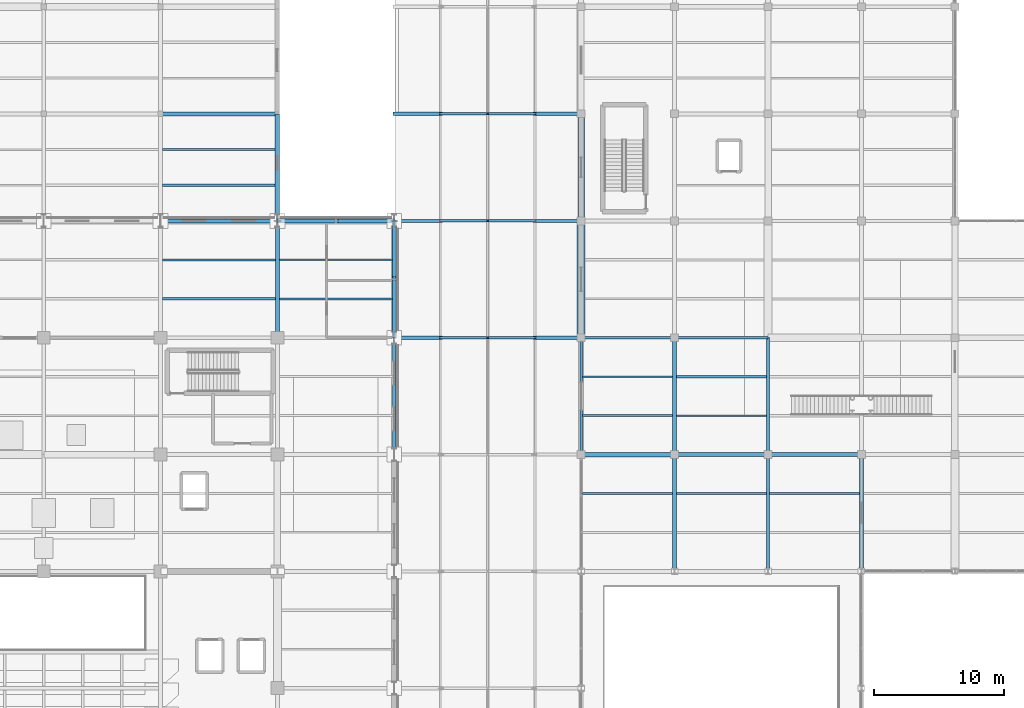
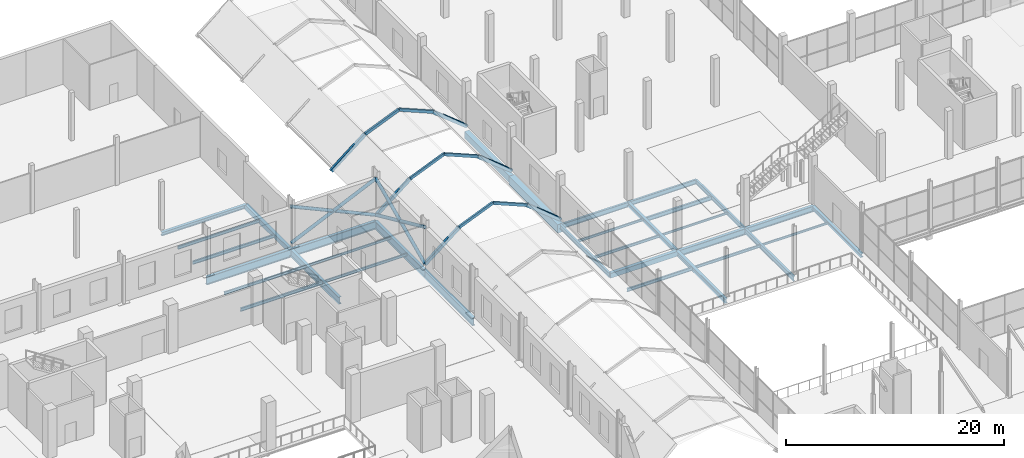
# One storey, part 48 of 141: 33 beams, 18 members.
"""IFC4 building model written with IfcOpenShell, lengths in metres."""

from ifc_helpers import new_model, si_unit, direction, frame, origin, origin_2d, place, context, subcontext, project, spatial, rectangle, hollow_rectangle, hollow_circle, i_section, extrude, material, material_profile, profile_set, type_object, element, save


model = new_model("IFC4")

# Units and contexts
model_context = context("Model", 3, precision=1e-05, world=origin(), true_north=direction((0.0, 1.0)))
body_context = subcontext(model_context, "Body", "Model", "MODEL_VIEW")
ifc_project = project(units=[si_unit("LENGTHUNIT", "METRE"), si_unit("AREAUNIT", "SQUARE_METRE"), si_unit("VOLUMEUNIT", "CUBIC_METRE"), si_unit("PLANEANGLEUNIT", "RADIAN"), si_unit("MASSUNIT", "GRAM", prefix="KILO")], contexts=[model_context])

# Site, building, storey
site_placement = place(None, origin())
site = spatial("IfcSite", under=ifc_project, at=site_placement, CompositionType="ELEMENT")
building_placement = place(site_placement, origin())
building = spatial("IfcBuilding", under=site, at=building_placement, Name="Sundgate Opera House", CompositionType="ELEMENT")
storey_placement = place(building_placement, frame((0.0, 0.0, 11.39990234375)))
storey = spatial("IfcBuildingStorey", under=building, at=storey_placement, Name="L02", CompositionType="ELEMENT", Elevation=11.39990234375)

# Beams
ifc_material_1 = material(Name="Steel S355J2", Category="steel")
ifc_material_profile_1 = material_profile(ifc_material_1, i_section(OverallWidth=0.300048828125, OverallDepth=0.39990234375, WebThickness=0.013427734375, FlangeThickness=0.02392578125, at=origin_2d()), Name="HEB 400")
ifc_profile_set_1 = profile_set([ifc_material_profile_1], Name="Steel S355J2")
beam_type_1 = type_object("IfcBeamType", Name="BM-GR-HEB400", PredefinedType="BEAM", material=ifc_profile_set_1)
for number, where, z_axis, x_axis, name in (
    (1, (117.0, 60.0, -0.5498046875), (0.0, 1.0, 0.0), (-1.0, 0.0, 0.0), "L02 Primary N-S Girder B1885"),
    (2, (63.0, 95.25, -0.5498046875), (1.0, 0.0, 0.0), (0.0, 1.0, 0.0), "L02 Primary E-W Girder B2075"),
):
    element("IfcBeam", number, at=place(storey_placement, frame(where, z_axis=z_axis, x_axis=x_axis)), inside=storey, type_object=beam_type_1, Name=name, PredefinedType="BEAM", context=body_context, shape_type="SweptSolid", body=[
        extrude(i_section(OverallWidth=0.300048828125, OverallDepth=0.39990234375, WebThickness=0.013427734375, FlangeThickness=0.02392578125, at=origin_2d()), origin(), (0.0, 0.0, 1.0), 9.0),
    ])
ifc_material_2 = material(Name="Steel S355J2", Category="steel")
ifc_material_profile_2 = material_profile(ifc_material_2, i_section(OverallWidth=0.300048828125, OverallDepth=0.449951171875, WebThickness=0.013916015625, FlangeThickness=0.02587890625, at=origin_2d()), Name="HEB 450")
ifc_profile_set_2 = profile_set([ifc_material_profile_2], Name="Steel S355J2")
beam_type_2 = type_object("IfcBeamType", Name="BM-GR-HEB450", PredefinedType="BEAM", material=ifc_profile_set_2)
beam_1_placement = place(storey_placement, frame((102.60009765625, 69.0, -0.574951171875), z_axis=(0.0, 1.0, 0.0), x_axis=(-1.0, 0.0, 0.0)))
element("IfcBeam", 3, at=beam_1_placement, inside=storey, type_object=beam_type_2, Name="L02 Primary N-S Girder B1862", PredefinedType="BEAM", context=body_context, shape_type="SweptSolid", body=[
    extrude(i_section(OverallWidth=0.300048828125, OverallDepth=0.449951171875, WebThickness=0.013916015625, FlangeThickness=0.02587890625, at=origin_2d()), origin(), (0.0, 0.0, 1.0), 9.0),
])
ifc_material_3 = material(Name="Steel S355J2", Category="steel")
ifc_material_profile_3 = material_profile(ifc_material_3, i_section(OverallWidth=0.300048828125, OverallDepth=0.5, WebThickness=0.014404296875, FlangeThickness=0.028076171875, at=origin_2d()), Name="HEB 500")
ifc_profile_set_3 = profile_set([ifc_material_profile_3], Name="Steel S355J2")
beam_type_3 = type_object("IfcBeamType", Name="BM-GR-HEB500", PredefinedType="BEAM", material=ifc_profile_set_3)
beam_2_placement = place(storey_placement, frame((102.60009765625, 60.0, -0.599853515625), z_axis=(0.0, 1.0, 0.0), x_axis=(-1.0, 0.0, 0.0)))
element("IfcBeam", 4, at=beam_2_placement, inside=storey, type_object=beam_type_3, Name="L02 Primary N-S Girder B1861", PredefinedType="BEAM", context=body_context, shape_type="SweptSolid", body=[
    extrude(i_section(OverallWidth=0.300048828125, OverallDepth=0.5, WebThickness=0.014404296875, FlangeThickness=0.028076171875, at=origin_2d()), origin(), (0.0, 0.0, 1.0), 9.0),
])
ifc_material_4 = material(Name="Steel S355J2", Category="steel")
ifc_material_profile_4 = material_profile(ifc_material_4, i_section(OverallWidth=0.300048828125, OverallDepth=0.64990234375, WebThickness=0.01611328125, FlangeThickness=0.031005859375, at=origin_2d()), Name="HEB 650")
ifc_profile_set_4 = profile_set([ifc_material_profile_4], Name="Steel S355J2")
beam_type_4 = type_object("IfcBeamType", Name="BM-GR-HEB650", PredefinedType="BEAM", material=ifc_profile_set_4)
beam_3_placement = place(storey_placement, frame((109.800048828125, 69.0, -0.6748046875), z_axis=(1.0, 0.0, 0.0), x_axis=(0.0, 1.0, 0.0)))
element("IfcBeam", 5, at=beam_3_placement, inside=storey, type_object=beam_type_4, Name="L02 Primary E-W Girder B2036", PredefinedType="BEAM", context=body_context, shape_type="SweptSolid", body=[
    extrude(i_section(OverallWidth=0.300048828125, OverallDepth=0.64990234375, WebThickness=0.01611328125, FlangeThickness=0.031005859375, at=origin_2d()), origin(), (0.0, 0.0, 1.0), 7.199951171875),
])
ifc_material_5 = material(Name="Steel S355J2", Category="steel")
ifc_material_profile_5 = material_profile(ifc_material_5, i_section(OverallWidth=0.300048828125, OverallDepth=0.699951171875, WebThickness=0.01708984375, FlangeThickness=0.031982421875, at=origin_2d()), Name="HEB 700")
ifc_profile_set_5 = profile_set([ifc_material_profile_5], Name="Steel S355J2")
beam_type_5 = type_object("IfcBeamType", Name="BM-GR-HEB700", PredefinedType="BEAM", material=ifc_profile_set_5)
beam_4_placement = place(storey_placement, frame((102.60009765625, 69.0, -0.699951171875), z_axis=(1.0, 0.0, 0.0), x_axis=(0.0, 1.0, 0.0)))
element("IfcBeam", 6, at=beam_4_placement, inside=storey, type_object=beam_type_5, Name="L02 Primary E-W Girder B2035", PredefinedType="BEAM", context=body_context, shape_type="SweptSolid", body=[
    extrude(i_section(OverallWidth=0.300048828125, OverallDepth=0.699951171875, WebThickness=0.01708984375, FlangeThickness=0.031982421875, at=origin_2d()), origin(), (0.0, 0.0, 1.0), 7.199951171875),
])
ifc_material_6 = material(Name="Steel S355J2", Category="steel")
ifc_material_profile_6 = material_profile(ifc_material_6, i_section(OverallWidth=0.199951171875, OverallDepth=0.5, WebThickness=0.01025390625, FlangeThickness=0.01611328125, at=origin_2d()), Name="IPE 500")
ifc_profile_set_6 = profile_set([ifc_material_profile_6], Name="Steel S355J2")
beam_type_6 = type_object("IfcBeamType", Name="BM-GR-IPE500", PredefinedType="BEAM", material=ifc_profile_set_6)
for number, where, z_axis, x_axis, name in (
    (7, (95.39990234375, 69.0, -0.599853515625), (0.0, 1.0, 0.0), (-1.0, 0.0, 0.0), "L02 Primary N-S Girder B1851"),
    (8, (109.800048828125, 69.0, -0.599853515625), (0.0, 1.0, 0.0), (-1.0, 0.0, 0.0), "L02 Primary N-S Girder B1873"),
):
    element("IfcBeam", number, at=place(storey_placement, frame(where, z_axis=z_axis, x_axis=x_axis)), inside=storey, type_object=beam_type_6, Name=name, PredefinedType="BEAM", context=body_context, shape_type="SweptSolid", body=[
        extrude(i_section(OverallWidth=0.199951171875, OverallDepth=0.5, WebThickness=0.01025390625, FlangeThickness=0.01611328125, at=origin_2d()), origin(), (0.0, 0.0, 1.0), 9.0),
    ])
beam_5_placement = place(storey_placement, frame((102.60009765625, 78.0, -0.599853515625), z_axis=(1.0, 0.0, 0.0), x_axis=(0.0, 1.0, 0.0)))
element("IfcBeam", 9, at=beam_5_placement, inside=storey, type_object=beam_type_6, Name="L02 Primary E-W Girder B2047", PredefinedType="BEAM", context=body_context, shape_type="SweptSolid", body=[
    extrude(i_section(OverallWidth=0.199951171875, OverallDepth=0.5, WebThickness=0.01025390625, FlangeThickness=0.01611328125, at=origin_2d()), origin(), (0.0, 0.0, 1.0), 7.199951171875),
])
ifc_material_7 = material(Name="Steel S355J2", Category="steel")
ifc_material_profile_7 = material_profile(ifc_material_7, i_section(OverallWidth=0.2099609375, OverallDepth=0.550048828125, WebThickness=0.010986328125, FlangeThickness=0.01708984375, at=origin_2d()), Name="IPE 550")
ifc_profile_set_7 = profile_set([ifc_material_profile_7], Name="Steel S355J2")
beam_type_7 = type_object("IfcBeamType", Name="BM-GR-IPE550", PredefinedType="BEAM", material=ifc_profile_set_7)
beam_6_placement = place(storey_placement, frame((109.800048828125, 60.0, -0.625), z_axis=(0.0, 1.0, 0.0), x_axis=(-1.0, 0.0, 0.0)))
element("IfcBeam", 10, at=beam_6_placement, inside=storey, type_object=beam_type_7, Name="L02 Primary N-S Girder B1872", PredefinedType="BEAM", context=body_context, shape_type="SweptSolid", body=[
    extrude(i_section(OverallWidth=0.2099609375, OverallDepth=0.550048828125, WebThickness=0.010986328125, FlangeThickness=0.01708984375, at=origin_2d()), origin(), (0.0, 0.0, 1.0), 9.0),
])
beam_7_placement = place(storey_placement, frame((95.39990234375, 78.0, -0.625), z_axis=(1.0, 0.0, 0.0), x_axis=(0.0, 1.0, 0.0)))
element("IfcBeam", 11, at=beam_7_placement, inside=storey, type_object=beam_type_7, Name="L02 Primary E-W Girder B2046", PredefinedType="BEAM", context=body_context, shape_type="SweptSolid", body=[
    extrude(i_section(OverallWidth=0.2099609375, OverallDepth=0.550048828125, WebThickness=0.010986328125, FlangeThickness=0.01708984375, at=origin_2d()), origin(), (0.0, 0.0, 1.0), 7.2001953125),
])
ifc_material_8 = material(Name="Steel S355J2", Category="steel")
ifc_material_profile_8 = material_profile(ifc_material_8, i_section(OverallWidth=0.1201171875, OverallDepth=0.239990234375, WebThickness=0.006103515625, FlangeThickness=0.009765625, at=origin_2d()), Name="IPE 240")
ifc_profile_set_8 = profile_set([ifc_material_profile_8], Name="Steel S355J2")
beam_type_8 = type_object("IfcBeamType", Name="BM-JS-IPE240", PredefinedType="JOIST", material=ifc_profile_set_8)
beam_8_placement = place(storey_placement, frame((109.905029296875, 66.0, -0.469970703125), z_axis=(1.0, 0.0, 0.0), x_axis=(0.0, 1.0, 0.0)))
element("IfcBeam", 12, at=beam_8_placement, inside=storey, type_object=beam_type_8, Name="L02 Secondary Floor Joist B2268", PredefinedType="JOIST", context=body_context, shape_type="SweptSolid", body=[
    extrude(i_section(OverallWidth=0.1201171875, OverallDepth=0.239990234375, WebThickness=0.006103515625, FlangeThickness=0.009765625, at=origin_2d()), origin(), (0.0, 0.0, 1.0), 6.945068359375),
])
beam_9_placement = place(storey_placement, frame((102.75, 72.0, -0.469970703125), z_axis=(1.0, 0.0, 0.0), x_axis=(0.0, 1.0, 0.0)))
element("IfcBeam", 13, at=beam_9_placement, inside=storey, type_object=beam_type_8, Name="L02 Secondary Floor Joist B2289", PredefinedType="JOIST", context=body_context, shape_type="SweptSolid", body=[
    extrude(i_section(OverallWidth=0.1201171875, OverallDepth=0.239990234375, WebThickness=0.006103515625, FlangeThickness=0.009765625, at=origin_2d()), origin(), (0.0, 0.0, 1.0), 6.949951171875),
])
ifc_material_9 = material(Name="Steel S355J2", Category="steel")
ifc_material_profile_9 = material_profile(ifc_material_9, i_section(OverallWidth=0.135009765625, OverallDepth=0.27001953125, WebThickness=0.006591796875, FlangeThickness=0.01025390625, at=origin_2d()), Name="IPE 270")
ifc_profile_set_9 = profile_set([ifc_material_profile_9], Name="Steel S355J2")
beam_type_9 = type_object("IfcBeamType", Name="BM-JS-IPE270", PredefinedType="JOIST", material=ifc_profile_set_9)
beam_10_placement = place(storey_placement, frame((95.5, 75.0, -0.48486328125), z_axis=(1.0, 0.0, 0.0), x_axis=(0.0, 1.0, 0.0)))
element("IfcBeam", 14, at=beam_10_placement, inside=storey, type_object=beam_type_9, Name="L02 Secondary Floor Joist B2288", PredefinedType="JOIST", context=body_context, shape_type="SweptSolid", body=[
    extrude(i_section(OverallWidth=0.135009765625, OverallDepth=0.27001953125, WebThickness=0.006591796875, FlangeThickness=0.01025390625, at=origin_2d()), origin(), (0.0, 0.0, 1.0), 6.949951171875),
])
beam_11_placement = place(storey_placement, frame((72.14990234375, 84.0, -0.454833984375), z_axis=(1.0, 0.0, 0.0), x_axis=(0.0, 1.0, 0.0)))
element("IfcBeam", 15, at=beam_11_placement, inside=storey, type_object=beam_type_9, Name="L02 Secondary Floor Joist B2316", PredefinedType="JOIST", context=body_context, shape_type="SweptSolid", body=[
    extrude(i_section(OverallWidth=0.135009765625, OverallDepth=0.27001953125, WebThickness=0.006591796875, FlangeThickness=0.01025390625, at=origin_2d()), origin(), (0.0, 0.0, 1.0), 8.7001953125),
])
ifc_material_10 = material(Name="Steel S355J2", Category="steel")
ifc_material_profile_10 = material_profile(ifc_material_10, i_section(OverallWidth=0.14990234375, OverallDepth=0.300048828125, WebThickness=0.007080078125, FlangeThickness=0.0107421875, at=origin_2d()), Name="IPE 300")
ifc_profile_set_10 = profile_set([ifc_material_profile_10], Name="Steel S355J2")
beam_type_10 = type_object("IfcBeamType", Name="BM-JS-IPE300", PredefinedType="JOIST", material=ifc_profile_set_10)
beam_12_placement = place(storey_placement, frame((102.75, 66.0, -0.5), z_axis=(1.0, 0.0, 0.0), x_axis=(0.0, 1.0, 0.0)))
element("IfcBeam", 16, at=beam_12_placement, inside=storey, type_object=beam_type_10, Name="L02 Secondary Floor Joist B2266", PredefinedType="JOIST", context=body_context, shape_type="SweptSolid", body=[
    extrude(i_section(OverallWidth=0.14990234375, OverallDepth=0.300048828125, WebThickness=0.007080078125, FlangeThickness=0.0107421875, at=origin_2d()), origin(), (0.0, 0.0, 1.0), 6.945068359375),
])
beam_13_placement = place(storey_placement, frame((95.5, 72.0, -0.5), z_axis=(1.0, 0.0, 0.0), x_axis=(0.0, 1.0, 0.0)))
element("IfcBeam", 17, at=beam_13_placement, inside=storey, type_object=beam_type_10, Name="L02 Secondary Floor Joist B2287", PredefinedType="JOIST", context=body_context, shape_type="SweptSolid", body=[
    extrude(i_section(OverallWidth=0.14990234375, OverallDepth=0.300048828125, WebThickness=0.007080078125, FlangeThickness=0.0107421875, at=origin_2d()), origin(), (0.0, 0.0, 1.0), 6.949951171875),
])
beam_14_placement = place(storey_placement, frame((72.14990234375, 81.0, -0.469970703125), z_axis=(1.0, 0.0, 0.0), x_axis=(0.0, 1.0, 0.0)))
element("IfcBeam", 18, at=beam_14_placement, inside=storey, type_object=beam_type_10, Name="L02 Secondary Floor Joist B2315", PredefinedType="JOIST", context=body_context, shape_type="SweptSolid", body=[
    extrude(i_section(OverallWidth=0.14990234375, OverallDepth=0.300048828125, WebThickness=0.007080078125, FlangeThickness=0.0107421875, at=origin_2d()), origin(), (0.0, 0.0, 1.0), 8.7001953125),
])
ifc_material_11 = material(Name="Steel S355J2", Category="steel")
ifc_material_profile_11 = material_profile(ifc_material_11, i_section(OverallWidth=0.159912109375, OverallDepth=0.330078125, WebThickness=0.007568359375, FlangeThickness=0.011474609375, at=origin_2d()), Name="IPE 330")
ifc_profile_set_11 = profile_set([ifc_material_profile_11], Name="Steel S355J2")
beam_type_11 = type_object("IfcBeamType", Name="BM-JS-IPE330", PredefinedType="JOIST", material=ifc_profile_set_11)
beam_15_placement = place(storey_placement, frame((63.14990234375, 84.0, -0.48486328125), z_axis=(1.0, 0.0, 0.0), x_axis=(0.0, 1.0, 0.0)))
element("IfcBeam", 19, at=beam_15_placement, inside=storey, type_object=beam_type_11, Name="L02 Secondary Floor Joist B2314", PredefinedType="JOIST", context=body_context, shape_type="SweptSolid", body=[
    extrude(i_section(OverallWidth=0.159912109375, OverallDepth=0.330078125, WebThickness=0.007568359375, FlangeThickness=0.011474609375, at=origin_2d()), origin(), (0.0, 0.0, 1.0), 8.7001953125),
])
beam_16_placement = place(storey_placement, frame((63.14990234375, 92.5, -0.514892578125), z_axis=(1.0, 0.0, 0.0), x_axis=(0.0, 1.0, 0.0)))
element("IfcBeam", 20, at=beam_16_placement, inside=storey, type_object=beam_type_11, Name="L02 Secondary Floor Joist B2349", PredefinedType="JOIST", context=body_context, shape_type="SweptSolid", body=[
    extrude(i_section(OverallWidth=0.159912109375, OverallDepth=0.330078125, WebThickness=0.007568359375, FlangeThickness=0.011474609375, at=origin_2d()), origin(), (0.0, 0.0, 1.0), 8.675048828125),
])
ifc_material_12 = material(Name="Steel S355J2", Category="steel")
ifc_material_profile_12 = material_profile(ifc_material_12, i_section(OverallWidth=0.169921875, OverallDepth=0.360107421875, WebThickness=0.008056640625, FlangeThickness=0.0126953125, at=origin_2d()), Name="IPE 360")
ifc_profile_set_12 = profile_set([ifc_material_profile_12], Name="Steel S355J2")
beam_type_12 = type_object("IfcBeamType", Name="BM-JS-IPE360", PredefinedType="JOIST", material=ifc_profile_set_12)
beam_17_placement = place(storey_placement, frame((95.5048828125, 66.0, -0.52978515625), z_axis=(1.0, 0.0, 0.0), x_axis=(0.0, 1.0, 0.0)))
element("IfcBeam", 21, at=beam_17_placement, inside=storey, type_object=beam_type_12, Name="L02 Secondary Floor Joist B2264", PredefinedType="JOIST", context=body_context, shape_type="SweptSolid", body=[
    extrude(i_section(OverallWidth=0.169921875, OverallDepth=0.360107421875, WebThickness=0.008056640625, FlangeThickness=0.0126953125, at=origin_2d()), origin(), (0.0, 0.0, 1.0), 6.945068359375),
])
beam_18_placement = place(storey_placement, frame((63.14990234375, 81.0, -0.5), z_axis=(1.0, 0.0, 0.0), x_axis=(0.0, 1.0, 0.0)))
element("IfcBeam", 22, at=beam_18_placement, inside=storey, type_object=beam_type_12, Name="L02 Secondary Floor Joist B2313", PredefinedType="JOIST", context=body_context, shape_type="SweptSolid", body=[
    extrude(i_section(OverallWidth=0.169921875, OverallDepth=0.360107421875, WebThickness=0.008056640625, FlangeThickness=0.0126953125, at=origin_2d()), origin(), (0.0, 0.0, 1.0), 8.7001953125),
])
beam_19_placement = place(storey_placement, frame((63.14990234375, 89.75, -0.52978515625), z_axis=(1.0, 0.0, 0.0), x_axis=(0.0, 1.0, 0.0)))
element("IfcBeam", 23, at=beam_19_placement, inside=storey, type_object=beam_type_12, Name="L02 Secondary Floor Joist B2348", PredefinedType="JOIST", context=body_context, shape_type="SweptSolid", body=[
    extrude(i_section(OverallWidth=0.169921875, OverallDepth=0.360107421875, WebThickness=0.008056640625, FlangeThickness=0.0126953125, at=origin_2d()), origin(), (0.0, 0.0, 1.0), 8.675048828125),
])
ifc_material_13 = material(Name="Steel S355J2", Category="steel")
ifc_material_profile_13 = material_profile(ifc_material_13, i_section(OverallWidth=0.18994140625, OverallDepth=0.449951171875, WebThickness=0.009521484375, FlangeThickness=0.0146484375, at=origin_2d()), Name="IPE 450")
ifc_profile_set_13 = profile_set([ifc_material_profile_13], Name="Steel S355J2")
beam_type_13 = type_object("IfcBeamType", Name="BM-JS-IPE450", PredefinedType="JOIST", material=ifc_profile_set_13)
beam_20_placement = place(storey_placement, frame((102.75, 75.0, -0.574951171875), z_axis=(1.0, 0.0, 0.0), x_axis=(0.0, 1.0, 0.0)))
element("IfcBeam", 24, at=beam_20_placement, inside=storey, type_object=beam_type_13, Name="L02 Secondary Floor Joist B2290", PredefinedType="JOIST", context=body_context, shape_type="SweptSolid", body=[
    extrude(i_section(OverallWidth=0.18994140625, OverallDepth=0.449951171875, WebThickness=0.009521484375, FlangeThickness=0.0146484375, at=origin_2d()), origin(), (0.0, 0.0, 1.0), 6.949951171875),
])
ifc_material_14 = material(Name="Steel S355J2", Category="steel")
ifc_material_profile_14 = material_profile(ifc_material_14, i_section(OverallWidth=0.300048828125, OverallDepth=0.800048828125, WebThickness=0.017578125, FlangeThickness=0.032958984375, at=origin_2d()), Name="HEB 800")
ifc_profile_set_14 = profile_set([ifc_material_profile_14], Name="Steel S355J2")
beam_type_14 = type_object("IfcBeamType", Name="BM-OUT-HEB800", PredefinedType="BEAM", material=ifc_profile_set_14)
beam_21_placement = place(storey_placement, frame((72.0, 78.0, -0.75), z_axis=(0.0, 1.0, 0.0), x_axis=(-1.0, 0.0, 0.0)))
element("IfcBeam", 25, at=beam_21_placement, inside=storey, type_object=beam_type_14, Name="L02 Cube Outrigger Girder B0041", PredefinedType="BEAM", context=body_context, shape_type="SweptSolid", body=[
    extrude(i_section(OverallWidth=0.300048828125, OverallDepth=0.800048828125, WebThickness=0.017578125, FlangeThickness=0.032958984375, at=origin_2d()), origin(), (0.0, 0.0, 1.0), 9.0),
])
ifc_material_15 = material(Name="Concrete C35/45", Category="concrete")
ifc_material_profile_15 = material_profile(ifc_material_15, rectangle(XDim=0.35009765625, YDim=0.550048828125, at=origin_2d()), Name="RC 350x550")
ifc_profile_set_15 = profile_set([ifc_material_profile_15], Name="Concrete C35/45")
beam_type_15 = type_object("IfcBeamType", Name="BM-RC-350x550", PredefinedType="BEAM", material=ifc_profile_set_15)
beam_22_placement = place(storey_placement, frame((72.0, 87.0, -0.625), z_axis=(0.0, 1.0, 0.0), x_axis=(-1.0, 0.0, 0.0)))
element("IfcBeam", 26, at=beam_22_placement, inside=storey, type_object=beam_type_15, Name="L02 Primary N-S Girder B1840", PredefinedType="BEAM", context=body_context, shape_type="SweptSolid", body=[
    extrude(rectangle(XDim=0.35009765625, YDim=0.550048828125, at=origin_2d()), origin(), (0.0, 0.0, 1.0), 8.25),
])
beam_23_placement = place(storey_placement, frame((95.39990234375, 69.0, -0.625), z_axis=(1.0, 0.0, 0.0), x_axis=(0.0, 1.0, 0.0)))
element("IfcBeam", 27, at=beam_23_placement, inside=storey, type_object=beam_type_15, Name="L02 Primary E-W Girder B2034", PredefinedType="BEAM", context=body_context, shape_type="SweptSolid", body=[
    extrude(rectangle(XDim=0.35009765625, YDim=0.550048828125, at=origin_2d()), origin(), (0.0, 0.0, 1.0), 7.2001953125),
])
ifc_material_16 = material(Name="Concrete C40/50", Category="concrete")
ifc_material_profile_16 = material_profile(ifc_material_16, rectangle(XDim=0.5, YDim=0.75, at=origin_2d()), Name="RC 500x750")
ifc_profile_set_16 = profile_set([ifc_material_profile_16], Name="Concrete C40/50")
beam_type_16 = type_object("IfcBeamType", Name="BM-RC-500x750", PredefinedType="BEAM", material=ifc_profile_set_16)
beam_24_placement = place(storey_placement, frame((95.39990234375, 87.0, -0.724853515625), z_axis=(0.0, 1.0, 0.0), x_axis=(-1.0, 0.0, 0.0)))
element("IfcBeam", 28, at=beam_24_placement, inside=storey, type_object=beam_type_16, Name="L02 Primary N-S Girder B1853", PredefinedType="BEAM", context=body_context, shape_type="SweptSolid", body=[
    extrude(rectangle(XDim=0.5, YDim=0.75, at=origin_2d()), origin(), (0.0, 0.0, 1.0), 8.25),
])
ifc_material_17 = material(Name="Concrete C40/50", Category="concrete")
ifc_material_profile_17 = material_profile(ifc_material_17, rectangle(XDim=0.60009765625, YDim=0.949951171875, at=origin_2d()), Name="RC 600x950")
ifc_profile_set_17 = profile_set([ifc_material_profile_17], Name="Concrete C40/50")
beam_type_17 = type_object("IfcBeamType", Name="BM-RC-600x950", PredefinedType="BEAM", material=ifc_profile_set_17)
beam_25_placement = place(storey_placement, frame((95.39990234375, 78.0, -0.824951171875), z_axis=(0.0, 1.0, 0.0), x_axis=(-1.0, 0.0, 0.0)))
element("IfcBeam", 29, at=beam_25_placement, inside=storey, type_object=beam_type_17, Name="L02 Primary N-S Girder B1852", PredefinedType="BEAM", context=body_context, shape_type="SweptSolid", body=[
    extrude(rectangle(XDim=0.60009765625, YDim=0.949951171875, at=origin_2d()), origin(), (0.0, 0.0, 1.0), 9.0),
])
ifc_material_18 = material(Name="Steel S355ML", Category="steel")
ifc_material_profile_18 = material_profile(ifc_material_18, i_section(OverallWidth=0.300048828125, OverallDepth=0.89990234375, WebThickness=0.0185546875, FlangeThickness=0.034912109375, at=origin_2d()), Name="HEB 900")
ifc_profile_set_18 = profile_set([ifc_material_profile_18], Name="Steel S355ML")
beam_type_18 = type_object("IfcBeamType", Name="BM-TR-HEB900", PredefinedType="BEAM", material=ifc_profile_set_18)
for number, where, z_axis, x_axis, name in (
    (30, (63.0, 87.0, -0.7998046875), (1.0, 0.0, 0.0), (0.0, 1.0, 0.0), "L02 Cube Perimeter Transfer Girder B0011"),
    (31, (72.0, 87.0, -0.7998046875), (1.0, 0.0, 0.0), (0.0, 1.0, 0.0), "L02 Cube Perimeter Transfer Girder B0012"),
    (32, (81.0, 69.0, -0.7998046875), (0.0, 1.0, 0.0), (-1.0, 0.0, 0.0), "L02 Cube Perimeter Transfer Girder B0023"),
    (33, (81.0, 78.0, -0.7998046875), (0.0, 1.0, 0.0), (-1.0, 0.0, 0.0), "L02 Cube Perimeter Transfer Girder B0024"),
):
    element("IfcBeam", number, at=place(storey_placement, frame(where, z_axis=z_axis, x_axis=x_axis)), inside=storey, type_object=beam_type_18, Name=name, PredefinedType="BEAM", context=body_context, shape_type="SweptSolid", body=[
        extrude(i_section(OverallWidth=0.300048828125, OverallDepth=0.89990234375, WebThickness=0.0185546875, FlangeThickness=0.034912109375, at=origin_2d()), origin(), (0.0, 0.0, 1.0), 9.0),
    ])

# Members
ifc_material_19 = material(Name="Steel S355J2", Category="steel")
ifc_material_profile_19 = material_profile(ifc_material_19, hollow_rectangle(XDim=0.199951171875, YDim=0.300048828125, WallThickness=0.012451171875, at=origin_2d()), Name="RHS 300x200x12.5")
ifc_profile_set_19 = profile_set([ifc_material_profile_19], Name="Steel S355J2")
member_type_1 = type_object("IfcMemberType", Name="MB-ARCH-RHS300", PredefinedType="USERDEFINED", material=ifc_profile_set_19)
member_1_placement = place(storey_placement, frame((84.60009765625, 78.0, 3.050048828125), z_axis=(0.923071366561, 0.0, 0.384628719983), x_axis=(0.0, 1.0, 0.0)))
element("IfcMember", 34, at=member_1_placement, inside=storey, type_object=member_type_1, Name="Passage Parabolic Arch Rib M0343", ObjectType="ARCH RIB", PredefinedType="USERDEFINED", context=body_context, shape_type="SweptSolid", body=[
    extrude(hollow_rectangle(XDim=0.199951171875, YDim=0.300048828125, WallThickness=0.012451171875, at=origin_2d()), origin(), (0.0, 0.0, 1.0), 3.89990234375),
])
member_2_placement = place(storey_placement, frame((88.199951171875, 78.0, 4.550048828125), z_axis=(0.9230806271, 0.0, -0.384606494839), x_axis=(0.0, 1.0, 0.0)))
element("IfcMember", 35, at=member_2_placement, inside=storey, type_object=member_type_1, Name="Passage Parabolic Arch Rib M0344", ObjectType="ARCH RIB", PredefinedType="USERDEFINED", context=body_context, shape_type="SweptSolid", body=[
    extrude(hollow_rectangle(XDim=0.199951171875, YDim=0.300048828125, WallThickness=0.012451171875, at=origin_2d()), origin(), (0.0, 0.0, 1.0), 3.900146484375),
])
member_3_placement = place(storey_placement, frame((84.60009765625, 87.0, 3.050048828125), z_axis=(0.923071366561, 0.0, 0.384628719983), x_axis=(0.0, 1.0, 0.0)))
element("IfcMember", 36, at=member_3_placement, inside=storey, type_object=member_type_1, Name="Passage Parabolic Arch Rib M0350", ObjectType="ARCH RIB", PredefinedType="USERDEFINED", context=body_context, shape_type="SweptSolid", body=[
    extrude(hollow_rectangle(XDim=0.199951171875, YDim=0.300048828125, WallThickness=0.012451171875, at=origin_2d()), origin(), (0.0, 0.0, 1.0), 3.89990234375),
])
member_4_placement = place(storey_placement, frame((88.199951171875, 87.0, 4.550048828125), z_axis=(0.9230806271, 0.0, -0.384606494839), x_axis=(0.0, 1.0, 0.0)))
element("IfcMember", 37, at=member_4_placement, inside=storey, type_object=member_type_1, Name="Passage Parabolic Arch Rib M0351", ObjectType="ARCH RIB", PredefinedType="USERDEFINED", context=body_context, shape_type="SweptSolid", body=[
    extrude(hollow_rectangle(XDim=0.199951171875, YDim=0.300048828125, WallThickness=0.012451171875, at=origin_2d()), origin(), (0.0, 0.0, 1.0), 3.900146484375),
])
member_5_placement = place(storey_placement, frame((84.60009765625, 95.25, 3.050048828125), z_axis=(0.923071366561, 0.0, 0.384628719983), x_axis=(0.0, 1.0, 0.0)))
element("IfcMember", 38, at=member_5_placement, inside=storey, type_object=member_type_1, Name="Passage Parabolic Arch Rib M0357", ObjectType="ARCH RIB", PredefinedType="USERDEFINED", context=body_context, shape_type="SweptSolid", body=[
    extrude(hollow_rectangle(XDim=0.199951171875, YDim=0.300048828125, WallThickness=0.012451171875, at=origin_2d()), origin(), (0.0, 0.0, 1.0), 3.89990234375),
])
member_6_placement = place(storey_placement, frame((88.199951171875, 95.25, 4.550048828125), z_axis=(0.9230806271, 0.0, -0.384606494839), x_axis=(0.0, 1.0, 0.0)))
element("IfcMember", 39, at=member_6_placement, inside=storey, type_object=member_type_1, Name="Passage Parabolic Arch Rib M0358", ObjectType="ARCH RIB", PredefinedType="USERDEFINED", context=body_context, shape_type="SweptSolid", body=[
    extrude(hollow_rectangle(XDim=0.199951171875, YDim=0.300048828125, WallThickness=0.012451171875, at=origin_2d()), origin(), (0.0, 0.0, 1.0), 3.900146484375),
])
ifc_material_20 = material(Name="Steel S355ML", Category="steel")
ifc_material_profile_20 = material_profile(ifc_material_20, hollow_rectangle(XDim=0.25, YDim=0.35009765625, WallThickness=0.012451171875, at=origin_2d()), Name="RHS 350x250x12.5")
ifc_profile_set_20 = profile_set([ifc_material_profile_20], Name="Steel S355ML")
member_type_2 = type_object("IfcMemberType", Name="MB-ARCH-RHS350", PredefinedType="USERDEFINED", material=ifc_profile_set_20)
member_7_placement = place(storey_placement, frame((81.0, 78.0, 0.18505859375), z_axis=(0.782465902377, 0.0, 0.622693433093), x_axis=(0.0, 1.0, 0.0)))
element("IfcMember", 40, at=member_7_placement, inside=storey, type_object=member_type_2, Name="Passage Parabolic Arch Rib M0342", ObjectType="ARCH RIB", PredefinedType="USERDEFINED", context=body_context, shape_type="SweptSolid", body=[
    extrude(hollow_rectangle(XDim=0.25, YDim=0.35009765625, WallThickness=0.012451171875, at=origin_2d()), origin(), (0.0, 0.0, 1.0), 4.60107421875),
])
member_8_placement = place(storey_placement, frame((91.800048828125, 78.0, 3.050048828125), z_axis=(0.782445326099, 0.0, -0.622719288015), x_axis=(0.0, 1.0, 0.0)))
element("IfcMember", 41, at=member_8_placement, inside=storey, type_object=member_type_2, Name="Passage Parabolic Arch Rib M0345", ObjectType="ARCH RIB", PredefinedType="USERDEFINED", context=body_context, shape_type="SweptSolid", body=[
    extrude(hollow_rectangle(XDim=0.25, YDim=0.35009765625, WallThickness=0.012451171875, at=origin_2d()), origin(), (0.0, 0.0, 1.0), 4.600830078125),
])
member_9_placement = place(storey_placement, frame((81.0, 87.0, 0.18505859375), z_axis=(0.782465902377, 0.0, 0.622693433093), x_axis=(0.0, 1.0, 0.0)))
element("IfcMember", 42, at=member_9_placement, inside=storey, type_object=member_type_2, Name="Passage Parabolic Arch Rib M0349", ObjectType="ARCH RIB", PredefinedType="USERDEFINED", context=body_context, shape_type="SweptSolid", body=[
    extrude(hollow_rectangle(XDim=0.25, YDim=0.35009765625, WallThickness=0.012451171875, at=origin_2d()), origin(), (0.0, 0.0, 1.0), 4.60107421875),
])
member_10_placement = place(storey_placement, frame((91.800048828125, 87.0, 3.050048828125), z_axis=(0.782445326099, 0.0, -0.622719288015), x_axis=(0.0, 1.0, 0.0)))
element("IfcMember", 43, at=member_10_placement, inside=storey, type_object=member_type_2, Name="Passage Parabolic Arch Rib M0352", ObjectType="ARCH RIB", PredefinedType="USERDEFINED", context=body_context, shape_type="SweptSolid", body=[
    extrude(hollow_rectangle(XDim=0.25, YDim=0.35009765625, WallThickness=0.012451171875, at=origin_2d()), origin(), (0.0, 0.0, 1.0), 4.600830078125),
])
member_11_placement = place(storey_placement, frame((81.0, 95.25, 0.18505859375), z_axis=(0.782465902377, 0.0, 0.622693433093), x_axis=(0.0, 1.0, 0.0)))
element("IfcMember", 44, at=member_11_placement, inside=storey, type_object=member_type_2, Name="Passage Parabolic Arch Rib M0356", ObjectType="ARCH RIB", PredefinedType="USERDEFINED", context=body_context, shape_type="SweptSolid", body=[
    extrude(hollow_rectangle(XDim=0.25, YDim=0.35009765625, WallThickness=0.012451171875, at=origin_2d()), origin(), (0.0, 0.0, 1.0), 4.60107421875),
])
member_12_placement = place(storey_placement, frame((91.800048828125, 95.25, 3.050048828125), z_axis=(0.782445326099, 0.0, -0.622719288015), x_axis=(0.0, 1.0, 0.0)))
element("IfcMember", 45, at=member_12_placement, inside=storey, type_object=member_type_2, Name="Passage Parabolic Arch Rib M0359", ObjectType="ARCH RIB", PredefinedType="USERDEFINED", context=body_context, shape_type="SweptSolid", body=[
    extrude(hollow_rectangle(XDim=0.25, YDim=0.35009765625, WallThickness=0.012451171875, at=origin_2d()), origin(), (0.0, 0.0, 1.0), 4.600830078125),
])
ifc_material_21 = material(Name="Steel S355J2", Category="steel")
ifc_material_profile_21 = material_profile(ifc_material_21, hollow_circle(Radius=0.177734375, WallThickness=0.01611328125, at=origin_2d()), Name="CHS 355.6x16.0")
ifc_profile_set_21 = profile_set([ifc_material_profile_21], Name="Steel S355J2")
member_type_3 = type_object("IfcMemberType", Name="MB-BRC-CHS356", PredefinedType="BRACE", material=ifc_profile_set_21)
member_13_placement = place(storey_placement, frame((72.0, 87.0, 0.25), z_axis=(0.910016154981, 0.0, 0.414572789354), x_axis=(0.0, 1.0, 0.0)))
element("IfcMember", 46, at=member_13_placement, inside=storey, type_object=member_type_3, Name="L02 Belt-Truss Continuous Diagonal M0007", PredefinedType="BRACE", context=body_context, shape_type="SweptSolid", body=[
    extrude(hollow_circle(Radius=0.177734375, WallThickness=0.01611328125, at=origin_2d()), origin(), (0.0, 0.0, 1.0), 9.889892578125),
])
member_14_placement = place(storey_placement, frame((81.0, 87.0, 0.25), z_axis=(-0.910006192119, 0.0, 0.414594657836), x_axis=(0.0, -1.0, 0.0)))
element("IfcMember", 47, at=member_14_placement, inside=storey, type_object=member_type_3, Name="L02 Belt-Truss Lower Half Diagonal M0008", PredefinedType="BRACE", context=body_context, shape_type="SweptSolid", body=[
    extrude(hollow_circle(Radius=0.177734375, WallThickness=0.01611328125, at=origin_2d()), origin(), (0.0, 0.0, 1.0), 4.78515625),
])
member_15_placement = place(storey_placement, frame((76.3544921875, 87.0, 2.366455078125), z_axis=(-0.910025440845, 0.0, 0.414552405633), x_axis=(0.0, -1.0, 0.0)))
element("IfcMember", 48, at=member_15_placement, inside=storey, type_object=member_type_3, Name="L02 Belt-Truss Upper Half Diagonal MS004", PredefinedType="BRACE", context=body_context, shape_type="SweptSolid", body=[
    extrude(hollow_circle(Radius=0.177734375, WallThickness=0.01611328125, at=origin_2d()), origin(), (0.0, 0.0, 1.0), 4.784912109375),
])
member_16_placement = place(storey_placement, frame((81.0, 78.0, 0.25), z_axis=(0.0, 0.910016154981, 0.414572789354), x_axis=(-1.0, 0.0, 0.0)))
element("IfcMember", 49, at=member_16_placement, inside=storey, type_object=member_type_3, Name="L02 Belt-Truss Continuous Diagonal M0015", PredefinedType="BRACE", context=body_context, shape_type="SweptSolid", body=[
    extrude(hollow_circle(Radius=0.177734375, WallThickness=0.01611328125, at=origin_2d()), origin(), (0.0, 0.0, 1.0), 9.889892578125),
])
member_17_placement = place(storey_placement, frame((81.0, 87.0, 0.25), z_axis=(0.0, -0.910006192119, 0.414594657836), x_axis=(1.0, 0.0, 0.0)))
element("IfcMember", 50, at=member_17_placement, inside=storey, type_object=member_type_3, Name="L02 Belt-Truss Lower Half Diagonal M0016", PredefinedType="BRACE", context=body_context, shape_type="SweptSolid", body=[
    extrude(hollow_circle(Radius=0.177734375, WallThickness=0.01611328125, at=origin_2d()), origin(), (0.0, 0.0, 1.0), 4.78515625),
])
member_18_placement = place(storey_placement, frame((81.0, 82.3544921875, 2.366455078125), z_axis=(0.0, -0.910025440845, 0.414552405633), x_axis=(1.0, 0.0, 0.0)))
element("IfcMember", 51, at=member_18_placement, inside=storey, type_object=member_type_3, Name="L02 Belt-Truss Upper Half Diagonal MS008", PredefinedType="BRACE", context=body_context, shape_type="SweptSolid", body=[
    extrude(hollow_circle(Radius=0.177734375, WallThickness=0.01611328125, at=origin_2d()), origin(), (0.0, 0.0, 1.0), 4.784912109375),
])

save(model, "model.ifc")
